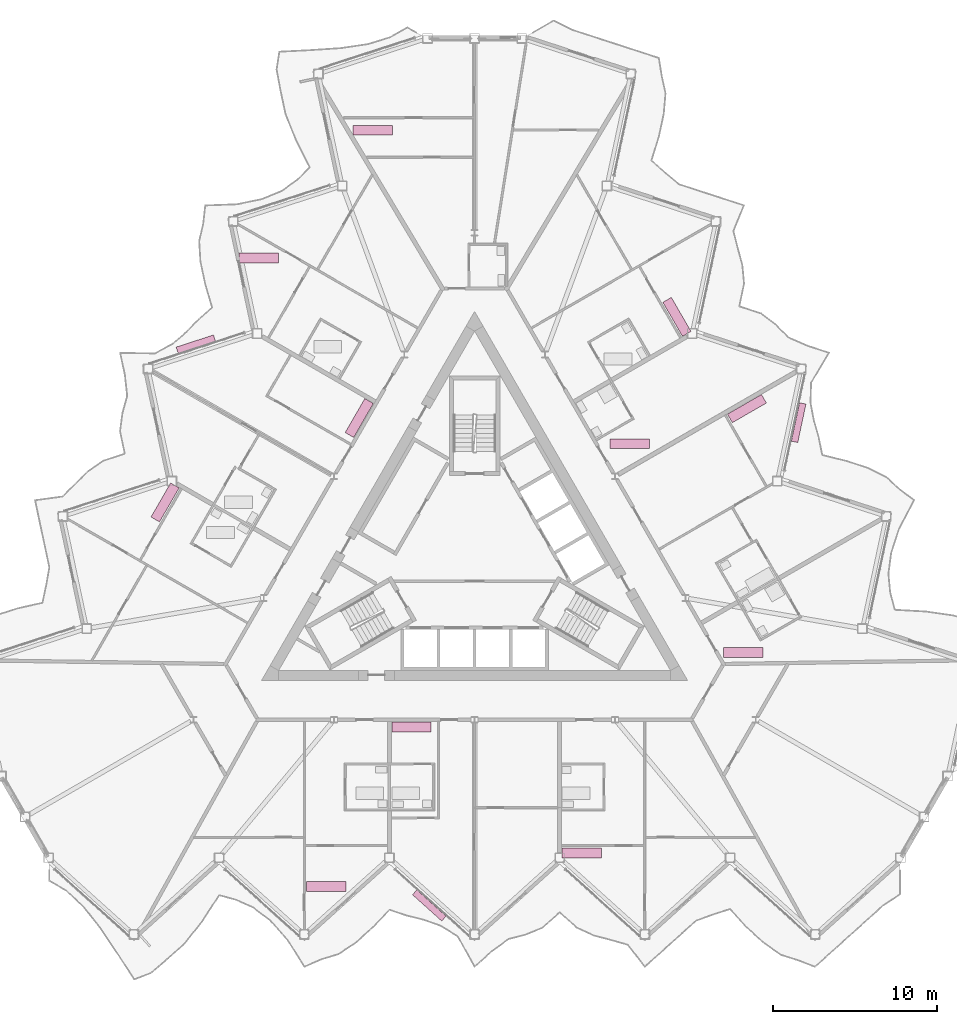
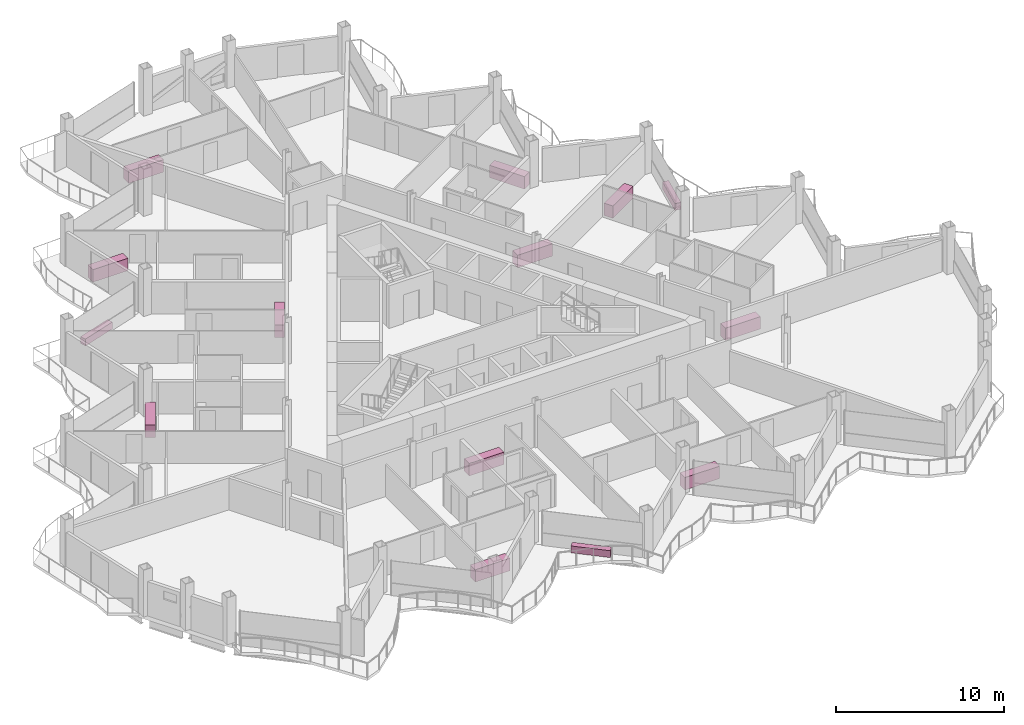
# One storey, part 26 of 26: 14 furniture elements.
"""IFC4 building model written with IfcOpenShell, lengths in metres."""

from ifc_helpers import new_model, si_unit, direction, frame, origin, origin_2d, place, context, subcontext, project, spatial, rectangle, extrude, material, type_object, element, save


model = new_model("IFC4")

# Units and contexts
model_context = context("Model", 3, precision=1e-05, world=origin(), true_north=direction((0.0, 1.0)))
body_context = subcontext(model_context, "Body", "Model", "MODEL_VIEW")
ifc_project = project(units=[si_unit("LENGTHUNIT", "METRE"), si_unit("AREAUNIT", "SQUARE_METRE"), si_unit("VOLUMEUNIT", "CUBIC_METRE"), si_unit("PLANEANGLEUNIT", "RADIAN"), si_unit("MASSUNIT", "GRAM", prefix="KILO")], contexts=[model_context])

# Site, building, storey
site_placement = place(None, origin())
site = spatial("IfcSite", under=ifc_project, at=site_placement, CompositionType="ELEMENT")
building_placement = place(site_placement, origin())
building = spatial("IfcBuilding", under=site, at=building_placement, Name="Cormorant Prow Tower", CompositionType="ELEMENT")
storey_placement = place(building_placement, frame((0.0, 0.0, 329.0)))
storey = spatial("IfcBuildingStorey", under=building, at=storey_placement, Name="L73", CompositionType="ELEMENT", Elevation=329.0)

# Furniture
ifc_material_1 = material(Name="Terracotta", Category="masonry")
furniture_type_1 = type_object("IfcFurnitureType", Name="Balcony planter 2400x400x500", AssemblyPlace="NOTDEFINED", PredefinedType="USERDEFINED", material=ifc_material_1)
for number, where, z_axis, x_axis, name in (
    (1, (-2.7646484375, -21.24267578125, 0.0), (0.0, 0.0, 1.0), (0.74314478215, -0.669130654479, 0.0), "Balcony planter S04"),
    (2, (19.779052734375, 8.22705078125, 0.0), (0.0, 0.0, 1.0), (0.207911691091, 0.978147600676, 0.0), "Balcony planter ENE04"),
    (3, (-17.014404296875, 13.015625, 0.0), (0.0, 0.0, 1.0), (-0.951056507348, -0.309017021913, 0.0), "Balcony planter WNW04"),
):
    element("IfcFurniture", number, at=place(storey_placement, frame(where, z_axis=z_axis, x_axis=x_axis)), inside=storey, type_object=furniture_type_1, Name=name, ObjectType="PLANTER", PredefinedType="USERDEFINED", context=body_context, shape_type="SweptSolid", body=[
        extrude(rectangle(XDim=2.39990234375, YDim=0.39990234375, at=origin_2d()), origin(), (0.0, 0.0, 1.0), 0.5),
    ])
ifc_material_2 = material(Name="Timber joinery", Category="wood")
furniture_type_2 = type_object("IfcFurnitureType", Name="Kitchen counter 2400x600", AssemblyPlace="NOTDEFINED", PredefinedType="NOTDEFINED", material=ifc_material_2)
for number, where, z_axis, x_axis, name in (
    (4, (-9.04443359375, -20.08203125, 0.0), (0.0, 0.0, 1.0), (1.0, 0.0, 0.0), "Kitchen counter"),
    (5, (-3.849609375, -10.3505859375, 0.0), (0.0, 0.0, 1.0), (1.0, 0.0, 0.0), "Kitchen counter"),
    (6, (6.539794921875, -18.03662109375, 0.0), (0.0, 0.0, 1.0), (1.0, 0.0, 0.0), "Kitchen counter"),
    (7, (16.40283203125, -5.8095703125, 0.0), (0.0, 0.0, 1.0), (1.0, 0.0, 0.0), "Kitchen counter"),
    (8, (16.622314453125, 9.0830078125, 0.0), (0.0, 0.0, 1.0), (0.866025403784, 0.5, 0.0), "Kitchen counter"),
    (9, (9.4609375, 6.9326171875, 0.0), (0.0, 0.0, 1.0), (1.0, 0.0, 0.0), "Kitchen counter"),
    (10, (12.350341796875, 14.681884765625, 0.0), (0.0, 0.0, 1.0), (-0.5, 0.866025403784, 0.0), "Kitchen counter"),
    (11, (-6.224853515625, 26.074462890625, 0.0), (0.0, 0.0, 1.0), (1.0, 0.0, 0.0), "Kitchen counter"),
    (12, (-13.17919921875, 18.2744140625, 0.0), (0.0, 0.0, 1.0), (1.0, 0.0, 0.0), "Kitchen counter"),
    (13, (-7.0390625, 8.50927734375, 0.0), (0.0, 0.0, 1.0), (-0.5, -0.866025403784, 0.0), "Kitchen counter"),
    (14, (-18.89013671875, 3.354736328125, 0.0), (0.0, 0.0, 1.0), (-0.5, -0.866025403784, 0.0), "Kitchen counter"),
):
    element("IfcFurniture", number, at=place(storey_placement, frame(where, z_axis=z_axis, x_axis=x_axis)), inside=storey, type_object=furniture_type_2, Name=name, PredefinedType="NOTDEFINED", context=body_context, shape_type="SweptSolid", body=[
        extrude(rectangle(XDim=2.39990234375, YDim=0.60009765625, at=origin_2d()), origin(), (0.0, 0.0, 1.0), 0.89990234375),
    ])

save(model, "model.ifc")
